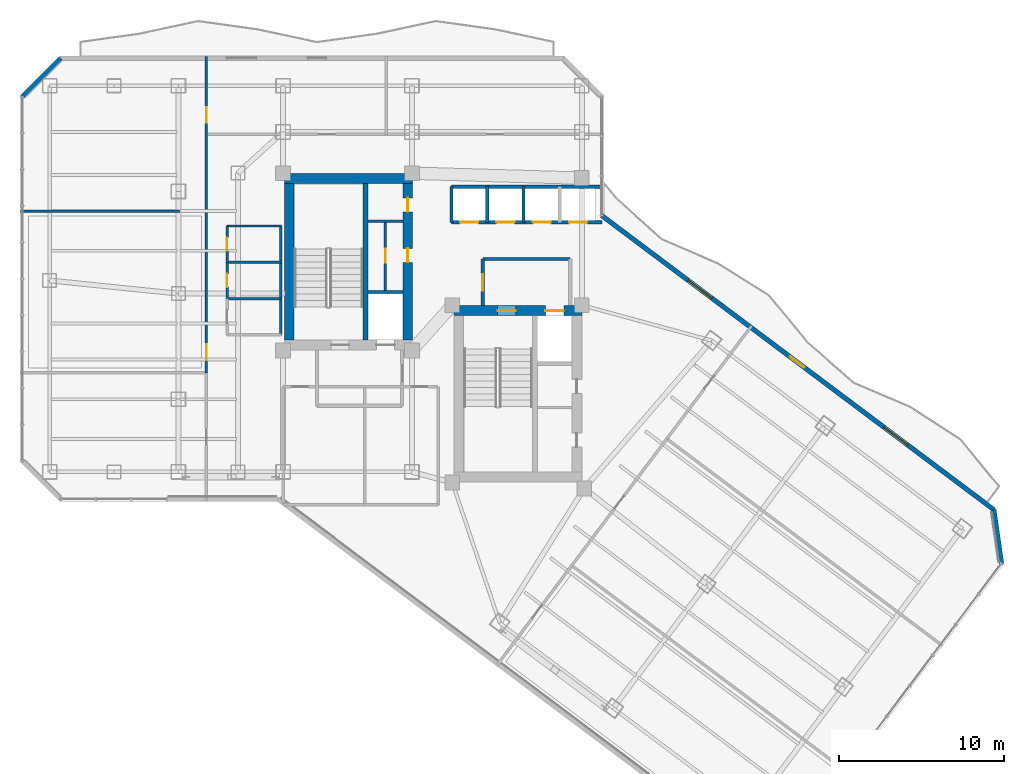
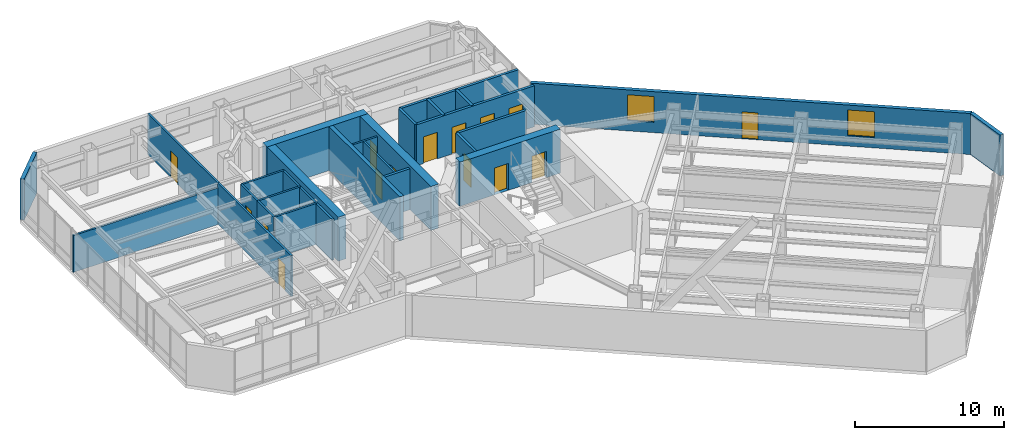
# One storey, part 23 of 29: 27 walls, 15 doors, 2 windows, 17 openings.
"""IFC4 building model written with IfcOpenShell, lengths in metres."""

from ifc_helpers import new_model, si_unit, direction, frame, frame_2d, origin, place, context, subcontext, project, spatial, rectangle, extrude, material, layer, layer_set, type_object, element, fill, save


model = new_model("IFC4")

# Units and contexts
model_context = context("Model", 3, precision=1e-05, world=origin(), true_north=direction((0.0, 1.0)))
body_context = subcontext(model_context, "Body", "Model", "MODEL_VIEW")
ifc_project = project(units=[si_unit("LENGTHUNIT", "METRE"), si_unit("AREAUNIT", "SQUARE_METRE"), si_unit("VOLUMEUNIT", "CUBIC_METRE"), si_unit("PLANEANGLEUNIT", "RADIAN"), si_unit("MASSUNIT", "GRAM", prefix="KILO")], contexts=[model_context])

# Site, building, storey
site_placement = place(None, origin())
site = spatial("IfcSite", under=ifc_project, at=site_placement, CompositionType="ELEMENT")
building_placement = place(site_placement, origin())
building = spatial("IfcBuilding", under=site, at=building_placement, Name="Hatsunagi Terrace Concourse", CompositionType="ELEMENT")
storey_placement = place(building_placement, frame((0.0, 0.0, 108.449951171875)))
storey = spatial("IfcBuildingStorey", under=building, at=storey_placement, Name="L28", CompositionType="ELEMENT", Elevation=108.449951171875)

# Walls
ifc_material_1 = material(Name="Concrete Fc48", Category="concrete")
ifc_layer_1 = layer(ifc_material_1, 0.60009765625)
ifc_layer_set_1 = layer_set([ifc_layer_1], Name="CoreShearWall_Fc48_600")
wall_type_1 = type_object("IfcWallType", Name="CoreShearWall_Fc48_600", PredefinedType="SHEAR", material=ifc_layer_set_1)
wall_1_placement = place(storey_placement, frame((25.6201171875, 42.969970703125, 0.0), z_axis=(0.0, 0.0, 1.0), x_axis=(1.0, 0.0, 0.0)))
element("IfcWall", 1, at=wall_1_placement, inside=storey, type_object=wall_type_1, Name="Core A Shear Wall N L28", PredefinedType="SHEAR", context=body_context, shape_type="SweptSolid", body=[
    extrude(rectangle(XDim=7.77978515625, YDim=0.60009765625, at=frame_2d((3.889892578125, 0.0))), origin(), (0.0, 0.0, 1.0), 3.60009765625),
])
wall_2_placement = place(storey_placement, frame((25.919921875, 33.18994140625, 0.0), z_axis=(0.0, 0.0, 1.0), x_axis=(0.0, 1.0, 0.0)))
element("IfcWall", 2, at=wall_2_placement, inside=storey, type_object=wall_type_1, Name="Core A Shear Wall W L28", PredefinedType="SHEAR", context=body_context, shape_type="SweptSolid", body=[
    extrude(rectangle(XDim=9.47998046875, YDim=0.60009765625, at=frame_2d((4.739990234375, 0.0))), origin(), (0.0, 0.0, 1.0), 3.60009765625),
])

# Wall, openings, doors
wall_3_placement = place(storey_placement, frame((33.10009765625, 33.18994140625, 0.0), z_axis=(0.0, 0.0, 1.0), x_axis=(0.0, 1.0, 0.0)))
wall_3 = element("IfcWall", 3, at=wall_3_placement, inside=storey, type_object=wall_type_1, Name="Core A Shear Wall E L28", PredefinedType="SHEAR", context=body_context, shape_type="SweptSolid", body=[
    extrude(rectangle(XDim=9.47998046875, YDim=0.60009765625, at=frame_2d((4.739990234375, 0.0))), origin(), (0.0, 0.0, 1.0), 3.60009765625),
])
opening_1_placement = place(wall_3_placement, frame((4.7099609375, 0.0, 0.0)))
opening_1 = element("IfcOpeningElement", 4, at=opening_1_placement, cuts=wall_3, Name="Opening DR-085", PredefinedType="OPENING", context=body_context, shape_type="SweptSolid", body=[
    extrude(rectangle(XDim=0.85009765625, YDim=2.080078125, at=frame_2d((0.425048828125, 1.0400390625))), frame((0.0, 0.31005859375, 0.0), z_axis=(0.0, -1.0, 0.0), x_axis=(1.0, 0.0, 0.0)), (0.0, 0.0, 1.0), 0.6201171875),
])
opening_2_placement = place(wall_3_placement, frame((7.760009765625, 0.0, 0.0)))
opening_2 = element("IfcOpeningElement", 5, at=opening_2_placement, cuts=wall_3, Name="Opening DR-085", PredefinedType="OPENING", context=body_context, shape_type="SweptSolid", body=[
    extrude(rectangle(XDim=0.85009765625, YDim=2.080078125, at=frame_2d((0.425048828125, 1.0400390625))), frame((0.0, 0.31005859375, 0.0), z_axis=(0.0, -1.0, 0.0), x_axis=(1.0, 0.0, 0.0)), (0.0, 0.0, 1.0), 0.6201171875),
])
ifc_material_2 = material(Name="Painted steel", Category="steel")
door_type_1 = type_object("IfcDoorType", Name="RiserAccessDoor_EI60_850", OperationType="NOTDEFINED", PredefinedType="DOOR", material=ifc_material_2)
door_1_placement = place(opening_1_placement, origin())
door_1 = element("IfcDoor", 6, at=door_1_placement, inside=storey, type_object=door_type_1, Name="Core A Riser Door L28-1", OperationType="SINGLE_SWING_LEFT", OverallHeight=2.080078125, OverallWidth=0.85009765625, PredefinedType="DOOR", context=body_context, shape_type="SweptSolid", body=[
    extrude(rectangle(XDim=0.85009765625, YDim=2.080078125, at=frame_2d((0.425048828125, 1.0400390625))), frame((0.0, 0.02490234375, 0.0), z_axis=(0.0, -1.0, 0.0), x_axis=(1.0, 0.0, 0.0)), (0.0, 0.0, 1.0), 0.050048828125),
])
fill(opening_1, door_1)
door_2_placement = place(opening_2_placement, origin())
door_2 = element("IfcDoor", 7, at=door_2_placement, inside=storey, type_object=door_type_1, Name="Core A Riser Door L28-2", OperationType="SINGLE_SWING_LEFT", OverallHeight=2.080078125, OverallWidth=0.85009765625, PredefinedType="DOOR", context=body_context, shape_type="SweptSolid", body=[
    extrude(rectangle(XDim=0.85009765625, YDim=2.080078125, at=frame_2d((0.425048828125, 1.0400390625))), frame((0.0, 0.02490234375, 0.0), z_axis=(0.0, -1.0, 0.0), x_axis=(1.0, 0.0, 0.0)), (0.0, 0.0, 1.0), 0.050048828125),
])
fill(opening_2, door_2)

wall_4_placement = place(storey_placement, frame((35.889892578125, 34.969970703125, 0.0), z_axis=(0.0, 0.0, 1.0), x_axis=(1.0, 0.0, 0.0)))
wall_4 = element("IfcWall", 8, at=wall_4_placement, inside=storey, type_object=wall_type_1, Name="Core B Shear Wall N L28", PredefinedType="SHEAR", context=body_context, shape_type="SweptSolid", body=[
    extrude(rectangle(XDim=7.760009765625, YDim=0.60009765625, at=frame_2d((3.8798828125, 0.0))), origin(), (0.0, 0.0, 1.0), 3.60009765625),
])
opening_3_placement = place(wall_4_placement, frame((2.659912109375, 0.0, 0.0)))
opening_3 = element("IfcOpeningElement", 9, at=opening_3_placement, cuts=wall_4, Name="Opening DR-110S", PredefinedType="OPENING", context=body_context, shape_type="SweptSolid", body=[
    extrude(rectangle(XDim=1.10009765625, YDim=2.199951171875, at=frame_2d((0.550048828125, 1.10009765625))), frame((0.0, 0.31005859375, 0.0), z_axis=(0.0, -1.0, 0.0), x_axis=(1.0, 0.0, 0.0)), (0.0, 0.0, 1.0), 0.6201171875),
])
opening_4_placement = place(wall_4_placement, frame((5.56005859375, 0.0, 0.0)))
opening_4 = element("IfcOpeningElement", 10, at=opening_4_placement, cuts=wall_4, Name="Opening LD-02", PredefinedType="OPENING", context=body_context, shape_type="SweptSolid", body=[
    extrude(rectangle(XDim=1.1201171875, YDim=2.14990234375, at=frame_2d((0.56005859375, 1.074951171875))), frame((0.0, 0.31005859375, 0.0), z_axis=(0.0, -1.0, 0.0), x_axis=(1.0, 0.0, 0.0)), (0.0, 0.0, 1.0), 0.6201171875),
])
ifc_material_3 = material(Name="Stainless steel", Category="steel")
door_type_2 = type_object("IfcDoorType", Name="LiftLandingDoor_LD02", OperationType="SLIDING_TO_RIGHT", PredefinedType="USERDEFINED", material=ifc_material_3)
door_3_placement = place(opening_4_placement, origin())
door_3 = element("IfcDoor", 11, at=door_3_placement, inside=storey, type_object=door_type_2, Name="Lift landing door FF-02 L28", ObjectType="SLIDING_LANDING_DOOR", OperationType="SLIDING_TO_RIGHT", OverallHeight=2.14990234375, OverallWidth=1.1201171875, PredefinedType="USERDEFINED", context=body_context, shape_type="SweptSolid", body=[
    extrude(rectangle(XDim=1.1201171875, YDim=2.14990234375, at=frame_2d((0.56005859375, 1.074951171875))), frame((0.0, 0.02490234375, 0.0), z_axis=(0.0, -1.0, 0.0), x_axis=(1.0, 0.0, 0.0)), (0.0, 0.0, 1.0), 0.050048828125),
])
fill(opening_4, door_3)
ifc_material_4 = material(Name="Painted steel", Category="steel")
door_type_3 = type_object("IfcDoorType", Name="StairFireDoor_EI60_1100", OperationType="NOTDEFINED", PredefinedType="DOOR", material=ifc_material_4)
door_4_placement = place(opening_3_placement, origin())
door_4 = element("IfcDoor", 12, at=door_4_placement, inside=storey, type_object=door_type_3, Name="Stair ST-B Exit Door L28", OperationType="SINGLE_SWING_RIGHT", OverallHeight=2.199951171875, OverallWidth=1.10009765625, PredefinedType="DOOR", context=body_context, shape_type="SweptSolid", body=[
    extrude(rectangle(XDim=1.10009765625, YDim=2.199951171875, at=frame_2d((0.550048828125, 1.10009765625))), frame((0.0, 0.02490234375, 0.0), z_axis=(0.0, -1.0, 0.0), x_axis=(1.0, 0.0, 0.0)), (0.0, 0.0, 1.0), 0.050048828125),
])
fill(opening_3, door_4)

# Wall
ifc_material_5 = material(Name="Concrete Fc48", Category="concrete")
ifc_layer_2 = layer(ifc_material_5, 0.300048828125)
ifc_layer_set_2 = layer_set([ifc_layer_2], Name="CoreStairDivider_Fc48_300")
wall_type_2 = type_object("IfcWallType", Name="CoreStairDivider_Fc48_300", PredefinedType="SHEAR", material=ifc_layer_set_2)
wall_5_placement = place(storey_placement, frame((30.5400390625, 33.18994140625, 0.0), z_axis=(0.0, 0.0, 1.0), x_axis=(0.0, 1.0, 0.0)))
element("IfcWall", 13, at=wall_5_placement, inside=storey, type_object=wall_type_2, Name="Core A Shear Wall D L28", PredefinedType="SHEAR", context=body_context, shape_type="SweptSolid", body=[
    extrude(rectangle(XDim=9.47998046875, YDim=0.300048828125, at=frame_2d((4.739990234375, 0.0))), origin(), (0.0, 0.0, 1.0), 3.60009765625),
])

# Wall, opening, door
ifc_material_6 = material(Name="Acoustic mineral board", Category="gypsum")
ifc_layer_3 = layer(ifc_material_6, 0.14990234375)
ifc_layer_set_3 = layer_set([ifc_layer_3], Name="PartitionWall_EI60_150")
wall_type_3 = type_object("IfcWallType", Name="PartitionWall_EI60_150", PredefinedType="PARTITIONING", material=ifc_layer_set_3)
wall_6_placement = place(storey_placement, frame((31.75, 36.179931640625, 0.0), z_axis=(0.0, 0.0, 1.0), x_axis=(0.0, 1.0, 0.0)))
wall_6 = element("IfcWall", 14, at=wall_6_placement, inside=storey, type_object=wall_type_3, Name="Interior Partition IW-L28-002", PredefinedType="PARTITIONING", context=body_context, shape_type="SweptSolid", body=[
    extrude(rectangle(XDim=4.239990234375, YDim=0.14990234375, at=frame_2d((2.1201171875, 0.0))), origin(), (0.0, 0.0, 1.0), 3.35009765625),
])
opening_5_placement = place(wall_6_placement, frame((1.695068359375, 0.0, 0.0)))
opening_5 = element("IfcOpeningElement", 15, at=opening_5_placement, cuts=wall_6, Name="Opening DR-085", PredefinedType="OPENING", context=body_context, shape_type="SweptSolid", body=[
    extrude(rectangle(XDim=0.85009765625, YDim=2.080078125, at=frame_2d((0.425048828125, 1.0400390625))), frame((0.0, 0.0849609375, 0.0), z_axis=(0.0, -1.0, 0.0), x_axis=(1.0, 0.0, 0.0)), (0.0, 0.0, 1.0), 0.169921875),
])
door_5_placement = place(opening_5_placement, origin())
door_5 = element("IfcDoor", 16, at=door_5_placement, inside=storey, type_object=door_type_1, Name="Core A Sub-Riser Door L28", OperationType="SINGLE_SWING_LEFT", OverallHeight=2.080078125, OverallWidth=0.85009765625, PredefinedType="DOOR", context=body_context, shape_type="SweptSolid", body=[
    extrude(rectangle(XDim=0.85009765625, YDim=2.080078125, at=frame_2d((0.425048828125, 1.0400390625))), frame((0.0, 0.02490234375, 0.0), z_axis=(0.0, -1.0, 0.0), x_axis=(1.0, 0.0, 0.0)), (0.0, 0.0, 1.0), 0.050048828125),
])
fill(opening_5, door_5)

# Walls
wall_7_placement = place(storey_placement, frame((30.699951171875, 40.39990234375, 0.0), z_axis=(0.0, 0.0, 1.0), x_axis=(1.0, 0.0, 0.0)))
element("IfcWall", 17, at=wall_7_placement, inside=storey, type_object=wall_type_3, Name="Interior Partition IW-L28-003", PredefinedType="PARTITIONING", context=body_context, shape_type="SweptSolid", body=[
    extrude(rectangle(XDim=2.10009765625, YDim=0.14990234375, at=frame_2d((1.050048828125, 0.0))), origin(), (0.0, 0.0, 1.0), 3.35009765625),
])
wall_8_placement = place(storey_placement, frame((22.14990234375, 40.10009765625, 0.0), z_axis=(0.0, 0.0, 1.0), x_axis=(1.0, 0.0, 0.0)))
element("IfcWall", 18, at=wall_8_placement, inside=storey, type_object=wall_type_3, Name="Interior Partition IW-L28-019", PredefinedType="PARTITIONING", context=body_context, shape_type="SweptSolid", body=[
    extrude(rectangle(XDim=3.300048828125, YDim=0.14990234375, at=frame_2d((1.64990234375, 0.0))), origin(), (0.0, 0.0, 1.0), 3.35009765625),
])
wall_9_placement = place(storey_placement, frame((25.39990234375, 33.5, 0.0), z_axis=(0.0, 0.0, 1.0), x_axis=(0.0, 1.0, 0.0)))
element("IfcWall", 19, at=wall_9_placement, inside=storey, type_object=wall_type_3, Name="Interior Partition IW-L28-020", PredefinedType="PARTITIONING", context=body_context, shape_type="SweptSolid", body=[
    extrude(rectangle(XDim=6.60009765625, YDim=0.14990234375, at=frame_2d((3.300048828125, 0.0))), origin(), (0.0, 0.0, 1.0), 3.35009765625),
])
for number, where, z_axis, x_axis, name in (
    (20, (22.14990234375, 35.699951171875, 0.0), (0.0, 0.0, 1.0), (1.0, 0.0, 0.0), "Interior Partition IW-L28-021"),
    (21, (22.14990234375, 37.89990234375, 0.0), (0.0, 0.0, 1.0), (1.0, 0.0, 0.0), "Interior Partition IW-L28-022"),
):
    element("IfcWall", number, at=place(storey_placement, frame(where, z_axis=z_axis, x_axis=x_axis)), inside=storey, type_object=wall_type_3, Name=name, PredefinedType="PARTITIONING", context=body_context, shape_type="SweptSolid", body=[
        extrude(rectangle(XDim=3.300048828125, YDim=0.14990234375, at=frame_2d((1.64990234375, 0.0))), origin(), (0.0, 0.0, 1.0), 3.35009765625),
    ])

# Wall, opening, door
wall_10_placement = place(storey_placement, frame((22.14990234375, 35.699951171875, 0.0), z_axis=(0.0, 0.0, 1.0), x_axis=(0.0, 1.0, 0.0)))
wall_10 = element("IfcWall", 22, at=wall_10_placement, inside=storey, type_object=wall_type_3, Name="Interior Partition IW-L28-024", PredefinedType="PARTITIONING", context=body_context, shape_type="SweptSolid", body=[
    extrude(rectangle(XDim=2.199951171875, YDim=0.14990234375, at=frame_2d((1.10009765625, 0.0))), origin(), (0.0, 0.0, 1.0), 3.35009765625),
])
opening_6_placement = place(wall_10_placement, frame((0.699951171875, 0.0, 0.0)))
opening_6 = element("IfcOpeningElement", 23, at=opening_6_placement, cuts=wall_10, Name="Opening DR-080", PredefinedType="OPENING", context=body_context, shape_type="SweptSolid", body=[
    extrude(rectangle(XDim=0.800048828125, YDim=2.06005859375, at=frame_2d((0.39990234375, 1.030029296875))), frame((0.0, 0.0849609375, 0.0), z_axis=(0.0, -1.0, 0.0), x_axis=(1.0, 0.0, 0.0)), (0.0, 0.0, 1.0), 0.169921875),
])
ifc_material_7 = material(Name="Hardwood timber", Category="wood")
door_type_4 = type_object("IfcDoorType", Name="BathroomDoor_800", OperationType="NOTDEFINED", PredefinedType="DOOR", material=ifc_material_7)
door_6_placement = place(opening_6_placement, origin())
door_6 = element("IfcDoor", 24, at=door_6_placement, inside=storey, type_object=door_type_4, Name="Female Restroom Door L28", OperationType="SINGLE_SWING_RIGHT", OverallHeight=2.06005859375, OverallWidth=0.800048828125, PredefinedType="DOOR", context=body_context, shape_type="SweptSolid", body=[
    extrude(rectangle(XDim=0.800048828125, YDim=2.06005859375, at=frame_2d((0.39990234375, 1.030029296875))), frame((0.0, 0.02490234375, 0.0), z_axis=(0.0, -1.0, 0.0), x_axis=(1.0, 0.0, 0.0)), (0.0, 0.0, 1.0), 0.050048828125),
])
fill(opening_6, door_6)

wall_11_placement = place(storey_placement, frame((22.14990234375, 37.89990234375, 0.0), z_axis=(0.0, 0.0, 1.0), x_axis=(0.0, 1.0, 0.0)))
wall_11 = element("IfcWall", 25, at=wall_11_placement, inside=storey, type_object=wall_type_3, Name="Interior Partition IW-L28-025", PredefinedType="PARTITIONING", context=body_context, shape_type="SweptSolid", body=[
    extrude(rectangle(XDim=2.2001953125, YDim=0.14990234375, at=frame_2d((1.10009765625, 0.0))), origin(), (0.0, 0.0, 1.0), 3.35009765625),
])
opening_7_placement = place(wall_11_placement, frame((0.699951171875, 0.0, 0.0)))
opening_7 = element("IfcOpeningElement", 26, at=opening_7_placement, cuts=wall_11, Name="Opening DR-080", PredefinedType="OPENING", context=body_context, shape_type="SweptSolid", body=[
    extrude(rectangle(XDim=0.800048828125, YDim=2.06005859375, at=frame_2d((0.39990234375, 1.030029296875))), frame((0.0, 0.0849609375, 0.0), z_axis=(0.0, -1.0, 0.0), x_axis=(1.0, 0.0, 0.0)), (0.0, 0.0, 1.0), 0.169921875),
])
door_7_placement = place(opening_7_placement, origin())
door_7 = element("IfcDoor", 27, at=door_7_placement, inside=storey, type_object=door_type_4, Name="Male Restroom Door L28", OperationType="SINGLE_SWING_RIGHT", OverallHeight=2.06005859375, OverallWidth=0.800048828125, PredefinedType="DOOR", context=body_context, shape_type="SweptSolid", body=[
    extrude(rectangle(XDim=0.800048828125, YDim=2.06005859375, at=frame_2d((0.39990234375, 1.030029296875))), frame((0.0, 0.02490234375, 0.0), z_axis=(0.0, -1.0, 0.0), x_axis=(1.0, 0.0, 0.0)), (0.0, 0.0, 1.0), 0.050048828125),
])
fill(opening_7, door_7)

# Wall
wall_12_placement = place(storey_placement, frame((9.639892578125, 41.0, 0.0), z_axis=(0.0, 0.0, 1.0), x_axis=(1.0, 0.0, 0.0)))
element("IfcWall", 28, at=wall_12_placement, inside=storey, type_object=wall_type_3, Name="Interior Partition IW-L28-035", PredefinedType="PARTITIONING", context=body_context, shape_type="SweptSolid", body=[
    extrude(rectangle(XDim=11.260009765625, YDim=0.14990234375, at=frame_2d((5.6298828125, 0.0))), origin(), (0.0, 0.0, 1.0), 2.9951171875),
])

# Wall, opening, door
wall_13_placement = place(storey_placement, frame((20.89990234375, 31.199951171875, 0.0), z_axis=(0.0, 0.0, 1.0), x_axis=(0.0, 1.0, 0.0)))
wall_13 = element("IfcWall", 29, at=wall_13_placement, inside=storey, type_object=wall_type_3, Name="Interior Partition IW-L28-036", PredefinedType="PARTITIONING", context=body_context, shape_type="SweptSolid", body=[
    extrude(rectangle(XDim=9.800048828125, YDim=0.14990234375, at=frame_2d((4.89990234375, 0.0))), origin(), (0.0, 0.0, 1.0), 3.35009765625),
])
opening_8_placement = place(wall_13_placement, frame((0.783935546875, 0.0, 0.0)))
opening_8 = element("IfcOpeningElement", 30, at=opening_8_placement, cuts=wall_13, Name="Opening DR-095", PredefinedType="OPENING", context=body_context, shape_type="SweptSolid", body=[
    extrude(rectangle(XDim=0.949951171875, YDim=2.14990234375, at=frame_2d((0.47509765625, 1.074951171875))), frame((0.0, 0.0849609375, 0.0), z_axis=(0.0, -1.0, 0.0), x_axis=(1.0, 0.0, 0.0)), (0.0, 0.0, 1.0), 0.169921875),
])
ifc_material_8 = material(Name="Hardwood timber", Category="wood")
door_type_5 = type_object("IfcDoorType", Name="InteriorSuiteDoor_EI30_950", OperationType="NOTDEFINED", PredefinedType="DOOR", material=ifc_material_8)
door_8_placement = place(opening_8_placement, origin())
door_8 = element("IfcDoor", 31, at=door_8_placement, inside=storey, type_object=door_type_5, Name="Boardroom L28-OW2 Door", OperationType="SINGLE_SWING_RIGHT", OverallHeight=2.14990234375, OverallWidth=0.949951171875, PredefinedType="DOOR", context=body_context, shape_type="SweptSolid", body=[
    extrude(rectangle(XDim=0.949951171875, YDim=2.14990234375, at=frame_2d((0.47509765625, 1.074951171875))), frame((0.0, 0.02490234375, 0.0), z_axis=(0.0, -1.0, 0.0), x_axis=(1.0, 0.0, 0.0)), (0.0, 0.0, 1.0), 0.050048828125),
])
fill(opening_8, door_8)

wall_14_placement = place(storey_placement, frame((20.89990234375, 41.0, 0.0), z_axis=(0.0, 0.0, 1.0), x_axis=(0.0, 1.0, 0.0)))
wall_14 = element("IfcWall", 32, at=wall_14_placement, inside=storey, type_object=wall_type_3, Name="Interior Partition IW-L28-037", PredefinedType="PARTITIONING", context=body_context, shape_type="SweptSolid", body=[
    extrude(rectangle(XDim=9.360107421875, YDim=0.14990234375, at=frame_2d((4.68017578125, 0.0))), origin(), (0.0, 0.0, 1.0), 3.35009765625),
])
opening_9_placement = place(wall_14_placement, frame((5.35302734375, 0.0, 0.0)))
opening_9 = element("IfcOpeningElement", 33, at=opening_9_placement, cuts=wall_14, Name="Opening DR-095", PredefinedType="OPENING", context=body_context, shape_type="SweptSolid", body=[
    extrude(rectangle(XDim=0.949951171875, YDim=2.14990234375, at=frame_2d((0.47509765625, 1.074951171875))), frame((0.0, 0.0849609375, 0.0), z_axis=(0.0, -1.0, 0.0), x_axis=(1.0, 0.0, 0.0)), (0.0, 0.0, 1.0), 0.169921875),
])
door_9_placement = place(opening_9_placement, origin())
door_9 = element("IfcDoor", 34, at=door_9_placement, inside=storey, type_object=door_type_5, Name="Design Studio L28-OW3 Door", OperationType="SINGLE_SWING_RIGHT", OverallHeight=2.14990234375, OverallWidth=0.949951171875, PredefinedType="DOOR", context=body_context, shape_type="SweptSolid", body=[
    extrude(rectangle(XDim=0.949951171875, YDim=2.14990234375, at=frame_2d((0.47509765625, 1.074951171875))), frame((0.0, 0.02490234375, 0.0), z_axis=(0.0, -1.0, 0.0), x_axis=(1.0, 0.0, 0.0)), (0.0, 0.0, 1.0), 0.050048828125),
])
fill(opening_9, door_9)

# Walls
ifc_material_9 = material(Name="Acoustic mineral board", Category="gypsum")
ifc_layer_4 = layer(ifc_material_9, 0.199951171875)
ifc_layer_set_4 = layer_set([ifc_layer_4], Name="ShaftWall_EI120_200")
wall_type_4 = type_object("IfcWallType", Name="ShaftWall_EI120_200", PredefinedType="STANDARD", material=ifc_layer_set_4)
wall_15_placement = place(storey_placement, frame((30.699951171875, 36.10009765625, 0.0), z_axis=(0.0, 0.0, 1.0), x_axis=(1.0, 0.0, 0.0)))
element("IfcWall", 35, at=wall_15_placement, inside=storey, type_object=wall_type_4, Name="Interior Partition IW-L28-001", PredefinedType="STANDARD", context=body_context, shape_type="SweptSolid", body=[
    extrude(rectangle(XDim=2.10009765625, YDim=0.199951171875, at=frame_2d((1.050048828125, 0.0))), origin(), (0.0, 0.0, 1.0), 3.35009765625),
])
wall_16_placement = place(storey_placement, frame((37.64990234375, 38.10009765625, 0.0), z_axis=(0.0, 0.0, 1.0), x_axis=(1.0, 0.0, 0.0)))
element("IfcWall", 36, at=wall_16_placement, inside=storey, type_object=wall_type_4, Name="Interior Partition IW-L28-009", PredefinedType="STANDARD", context=body_context, shape_type="SweptSolid", body=[
    extrude(rectangle(XDim=5.300048828125, YDim=0.199951171875, at=frame_2d((2.64990234375, 0.0))), origin(), (0.0, 0.0, 1.0), 3.35009765625),
])

# Wall, opening, door
wall_17_placement = place(storey_placement, frame((37.64990234375, 35.27001953125, 0.0), z_axis=(0.0, 0.0, 1.0), x_axis=(0.0, 1.0, 0.0)))
wall_17 = element("IfcWall", 37, at=wall_17_placement, inside=storey, type_object=wall_type_4, Name="Interior Partition IW-L28-011", PredefinedType="STANDARD", context=body_context, shape_type="SweptSolid", body=[
    extrude(rectangle(XDim=2.830078125, YDim=0.199951171875, at=frame_2d((1.4150390625, 0.0))), origin(), (0.0, 0.0, 1.0), 3.35009765625),
])
opening_10_placement = place(wall_17_placement, frame((0.9150390625, 0.0, 0.0)))
opening_10 = element("IfcOpeningElement", 38, at=opening_10_placement, cuts=wall_17, Name="Opening DR-100F", PredefinedType="OPENING", context=body_context, shape_type="SweptSolid", body=[
    extrude(rectangle(XDim=1.0, YDim=2.199951171875, at=frame_2d((0.5, 1.10009765625))), frame((0.0, 0.10986328125, 0.0), z_axis=(0.0, -1.0, 0.0), x_axis=(1.0, 0.0, 0.0)), (0.0, 0.0, 1.0), 0.219970703125),
])
ifc_material_10 = material(Name="Painted steel", Category="steel")
door_type_6 = type_object("IfcDoorType", Name="FireDoor_EI60_1000", OperationType="NOTDEFINED", PredefinedType="DOOR", material=ifc_material_10)
door_10_placement = place(opening_10_placement, origin())
door_10 = element("IfcDoor", 39, at=door_10_placement, inside=storey, type_object=door_type_6, Name="Firefighting Lobby B Door L28", OperationType="SINGLE_SWING_RIGHT", OverallHeight=2.199951171875, OverallWidth=1.0, PredefinedType="DOOR", context=body_context, shape_type="SweptSolid", body=[
    extrude(rectangle(XDim=1.0, YDim=2.199951171875, at=frame_2d((0.5, 1.10009765625))), frame((0.0, 0.02490234375, 0.0), z_axis=(0.0, -1.0, 0.0), x_axis=(1.0, 0.0, 0.0)), (0.0, 0.0, 1.0), 0.050048828125),
])
fill(opening_10, door_10)

# Walls
wall_18_placement = place(storey_placement, frame((35.75, 42.47998046875, 0.0), z_axis=(0.0, 0.0, 1.0), x_axis=(1.0, 0.0, 0.0)))
element("IfcWall", 40, at=wall_18_placement, inside=storey, type_object=wall_type_4, Name="Interior Partition IW-L28-012", PredefinedType="STANDARD", context=body_context, shape_type="SweptSolid", body=[
    extrude(rectangle(XDim=9.110107421875, YDim=0.199951171875, at=frame_2d((4.55517578125, 0.0))), origin(), (0.0, 0.0, 1.0), 3.35009765625),
])
for number, where, z_axis, x_axis, name in (
    (41, (35.75, 40.320068359375, 0.0), (0.0, 0.0, 1.0), (0.0, 1.0, 0.0), "Interior Partition IW-L28-013"),
    (42, (37.919921875, 40.320068359375, 0.0), (0.0, 0.0, 1.0), (0.0, 1.0, 0.0), "Interior Partition IW-L28-014"),
    (43, (40.1201171875, 40.320068359375, 0.0), (0.0, 0.0, 1.0), (0.0, 1.0, 0.0), "Interior Partition IW-L28-015"),
):
    element("IfcWall", number, at=place(storey_placement, frame(where, z_axis=z_axis, x_axis=x_axis)), inside=storey, type_object=wall_type_4, Name=name, PredefinedType="STANDARD", context=body_context, shape_type="SweptSolid", body=[
        extrude(rectangle(XDim=2.159912109375, YDim=0.199951171875, at=frame_2d((1.080078125, 0.0))), origin(), (0.0, 0.0, 1.0), 3.35009765625),
    ])

# Wall, openings, doors
wall_19_placement = place(storey_placement, frame((35.75, 40.320068359375, 0.0), z_axis=(0.0, 0.0, 1.0), x_axis=(1.0, 0.0, 0.0)))
wall_19 = element("IfcWall", 44, at=wall_19_placement, inside=storey, type_object=wall_type_4, Name="Interior Partition IW-L28-017", PredefinedType="STANDARD", context=body_context, shape_type="SweptSolid", body=[
    extrude(rectangle(XDim=9.110107421875, YDim=0.199951171875, at=frame_2d((4.55517578125, 0.0))), origin(), (0.0, 0.0, 1.0), 3.35009765625),
])
opening_11_placement = place(wall_19_placement, frame((0.530029296875, 0.0, 0.0)))
opening_11 = element("IfcOpeningElement", 45, at=opening_11_placement, cuts=wall_19, Name="Opening LD-04", PredefinedType="OPENING", context=body_context, shape_type="SweptSolid", body=[
    extrude(rectangle(XDim=1.10009765625, YDim=2.179931640625, at=frame_2d((0.550048828125, 1.08984375))), frame((0.0, 0.10986328125, 0.0), z_axis=(0.0, -1.0, 0.0), x_axis=(1.0, 0.0, 0.0)), (0.0, 0.0, 1.0), 0.219970703125),
])
opening_12_placement = place(wall_19_placement, frame((2.72998046875, 0.0, 0.0)))
opening_12 = element("IfcOpeningElement", 46, at=opening_12_placement, cuts=wall_19, Name="Opening LD-04", PredefinedType="OPENING", context=body_context, shape_type="SweptSolid", body=[
    extrude(rectangle(XDim=1.10009765625, YDim=2.179931640625, at=frame_2d((0.550048828125, 1.08984375))), frame((0.0, 0.10986328125, 0.0), z_axis=(0.0, -1.0, 0.0), x_axis=(1.0, 0.0, 0.0)), (0.0, 0.0, 1.0), 0.219970703125),
])
opening_13_placement = place(wall_19_placement, frame((4.929931640625, 0.0, 0.0)))
opening_13 = element("IfcOpeningElement", 47, at=opening_13_placement, cuts=wall_19, Name="Opening LD-04", PredefinedType="OPENING", context=body_context, shape_type="SweptSolid", body=[
    extrude(rectangle(XDim=1.10009765625, YDim=2.179931640625, at=frame_2d((0.550048828125, 1.08984375))), frame((0.0, 0.10986328125, 0.0), z_axis=(0.0, -1.0, 0.0), x_axis=(1.0, 0.0, 0.0)), (0.0, 0.0, 1.0), 0.219970703125),
])
opening_14_placement = place(wall_19_placement, frame((7.1298828125, 0.0, 0.0)))
opening_14 = element("IfcOpeningElement", 48, at=opening_14_placement, cuts=wall_19, Name="Opening LD-04", PredefinedType="OPENING", context=body_context, shape_type="SweptSolid", body=[
    extrude(rectangle(XDim=1.10009765625, YDim=2.179931640625, at=frame_2d((0.550048828125, 1.08984375))), frame((0.0, 0.10986328125, 0.0), z_axis=(0.0, -1.0, 0.0), x_axis=(1.0, 0.0, 0.0)), (0.0, 0.0, 1.0), 0.219970703125),
])
ifc_material_11 = material(Name="Stainless steel", Category="steel")
door_type_7 = type_object("IfcDoorType", Name="LiftLandingDoor_LD04", OperationType="SLIDING_TO_RIGHT", PredefinedType="USERDEFINED", material=ifc_material_11)
door_11_placement = place(opening_11_placement, origin())
door_11 = element("IfcDoor", 49, at=door_11_placement, inside=storey, type_object=door_type_7, Name="Lift landing door PL-05 L28", ObjectType="SLIDING_LANDING_DOOR", OperationType="SLIDING_TO_RIGHT", OverallHeight=2.179931640625, OverallWidth=1.10009765625, PredefinedType="USERDEFINED", context=body_context, shape_type="SweptSolid", body=[
    extrude(rectangle(XDim=1.10009765625, YDim=2.179931640625, at=frame_2d((0.550048828125, 1.08984375))), frame((0.0, 0.02490234375, 0.0), z_axis=(0.0, -1.0, 0.0), x_axis=(1.0, 0.0, 0.0)), (0.0, 0.0, 1.0), 0.050048828125),
])
fill(opening_11, door_11)
door_12_placement = place(opening_12_placement, origin())
door_12 = element("IfcDoor", 50, at=door_12_placement, inside=storey, type_object=door_type_7, Name="Lift landing door PL-06 L28", ObjectType="SLIDING_LANDING_DOOR", OperationType="SLIDING_TO_RIGHT", OverallHeight=2.179931640625, OverallWidth=1.10009765625, PredefinedType="USERDEFINED", context=body_context, shape_type="SweptSolid", body=[
    extrude(rectangle(XDim=1.10009765625, YDim=2.179931640625, at=frame_2d((0.550048828125, 1.08984375))), frame((0.0, 0.02490234375, 0.0), z_axis=(0.0, -1.0, 0.0), x_axis=(1.0, 0.0, 0.0)), (0.0, 0.0, 1.0), 0.050048828125),
])
fill(opening_12, door_12)
door_13_placement = place(opening_13_placement, origin())
door_13 = element("IfcDoor", 51, at=door_13_placement, inside=storey, type_object=door_type_7, Name="Lift landing door PL-07 L28", ObjectType="SLIDING_LANDING_DOOR", OperationType="SLIDING_TO_RIGHT", OverallHeight=2.179931640625, OverallWidth=1.10009765625, PredefinedType="USERDEFINED", context=body_context, shape_type="SweptSolid", body=[
    extrude(rectangle(XDim=1.10009765625, YDim=2.179931640625, at=frame_2d((0.550048828125, 1.08984375))), frame((0.0, 0.02490234375, 0.0), z_axis=(0.0, -1.0, 0.0), x_axis=(1.0, 0.0, 0.0)), (0.0, 0.0, 1.0), 0.050048828125),
])
fill(opening_13, door_13)
door_14_placement = place(opening_14_placement, origin())
door_14 = element("IfcDoor", 52, at=door_14_placement, inside=storey, type_object=door_type_7, Name="Lift landing door PL-08 L28", ObjectType="SLIDING_LANDING_DOOR", OperationType="SLIDING_TO_RIGHT", OverallHeight=2.179931640625, OverallWidth=1.10009765625, PredefinedType="USERDEFINED", context=body_context, shape_type="SweptSolid", body=[
    extrude(rectangle(XDim=1.10009765625, YDim=2.179931640625, at=frame_2d((0.550048828125, 1.08984375))), frame((0.0, 0.02490234375, 0.0), z_axis=(0.0, -1.0, 0.0), x_axis=(1.0, 0.0, 0.0)), (0.0, 0.0, 1.0), 0.050048828125),
])
fill(opening_14, door_14)

# Wall, openings, door, windows
ifc_material_12 = material(Name="Autoclaved Lightweight Concrete and Terracotta Cladding", Category="masonry")
ifc_layer_5 = layer(ifc_material_12, 0.280029296875)
ifc_layer_set_5 = layer_set([ifc_layer_5], Name="TerracottaSpandrelWall_280")
wall_type_5 = type_object("IfcWallType", Name="TerracottaSpandrelWall_280", PredefinedType="STANDARD", material=ifc_layer_set_5)
wall_20_placement = place(storey_placement, frame((44.860107421875, 40.72998046875, 0.0), z_axis=(0.0, 0.0, 1.0), x_axis=(0.800006902154, -0.599990797017, 0.0)))
wall_20 = element("IfcWall", 53, at=wall_20_placement, inside=storey, type_object=wall_type_5, Name="Exterior Spandrel Wall EW-L28-01", PredefinedType="STANDARD", context=body_context, shape_type="SweptSolid", body=[
    extrude(rectangle(XDim=29.7119140625, YDim=0.280029296875, at=frame_2d((14.85595703125, 0.0))), origin(), (0.0, 0.0, 1.0), 3.35009765625),
])
opening_15_placement = place(wall_20_placement, frame((14.2490234375, 0.0, 0.0)))
opening_15 = element("IfcOpeningElement", 54, at=opening_15_placement, cuts=wall_20, Name="Opening BD-01", PredefinedType="OPENING", context=body_context, shape_type="SweptSolid", body=[
    extrude(rectangle(XDim=1.10009765625, YDim=2.199951171875, at=frame_2d((0.550048828125, 1.10009765625))), frame((0.0, 0.14990234375, 0.0), z_axis=(0.0, -1.0, 0.0), x_axis=(1.0, 0.0, 0.0)), (0.0, 0.0, 1.0), 0.300048828125),
])
opening_16_placement = place(wall_20_placement, frame((6.528076171875, 0.0, 0.85009765625)))
opening_16 = element("IfcOpeningElement", 55, at=opening_16_placement, cuts=wall_20, Name="Opening WIN-03", PredefinedType="OPENING", context=body_context, shape_type="SweptSolid", body=[
    extrude(rectangle(XDim=1.800048828125, YDim=2.10009765625, at=frame_2d((0.89990234375, 1.050048828125))), frame((0.0, 0.14990234375, 0.0), z_axis=(0.0, -1.0, 0.0), x_axis=(1.0, 0.0, 0.0)), (0.0, 0.0, 1.0), 0.300048828125),
])
opening_17_placement = place(wall_20_placement, frame((21.384033203125, 0.0, 0.85009765625)))
opening_17 = element("IfcOpeningElement", 56, at=opening_17_placement, cuts=wall_20, Name="Opening WIN-03", PredefinedType="OPENING", context=body_context, shape_type="SweptSolid", body=[
    extrude(rectangle(XDim=1.800048828125, YDim=2.10009765625, at=frame_2d((0.89990234375, 1.050048828125))), frame((0.0, 0.14990234375, 0.0), z_axis=(0.0, -1.0, 0.0), x_axis=(1.0, 0.0, 0.0)), (0.0, 0.0, 1.0), 0.300048828125),
])
ifc_material_13 = material(Name="Galvanised Steel and Laminated Safety Glass", Category="steel")
door_type_8 = type_object("IfcDoorType", Name="BalconyTerraceAccessDoor_1100x2200", OperationType="SINGLE_SWING_LEFT", PredefinedType="DOOR", material=ifc_material_13)
door_15_placement = place(opening_15_placement, origin())
door_15 = element("IfcDoor", 57, at=door_15_placement, inside=storey, type_object=door_type_8, Name="Engawa Balcony Door L28-BSE", OperationType="SINGLE_SWING_LEFT", OverallHeight=2.199951171875, OverallWidth=1.10009765625, PredefinedType="DOOR", context=body_context, shape_type="SweptSolid", body=[
    extrude(rectangle(XDim=1.10009765625, YDim=2.199951171875, at=frame_2d((0.550048828125, 1.10009765625))), frame((0.0, 0.02490234375, 0.0), z_axis=(0.0, -1.0, 0.0), x_axis=(1.0, 0.0, 0.0)), (0.0, 0.0, 1.0), 0.050048828125),
])
fill(opening_15, door_15)
ifc_material_14 = material(Name="Thermally Broken Aluminium and Low-E Triple Glazing", Category="aluminium")
window_type = type_object("IfcWindowType", Name="OfficeCornerFeatureWindow_1800x2100", PartitioningType="SINGLE_PANEL", PredefinedType="WINDOW", material=ifc_material_14)
window_1_placement = place(opening_16_placement, origin())
window_1 = element("IfcWindow", 58, at=window_1_placement, inside=storey, type_object=window_type, Name="Balcony Daylighting Window L28-01-1", OverallHeight=2.10009765625, OverallWidth=1.800048828125, PartitioningType="SINGLE_PANEL", PredefinedType="WINDOW", context=body_context, shape_type="SweptSolid", body=[
    extrude(rectangle(XDim=1.800048828125, YDim=2.10009765625, at=frame_2d((0.89990234375, 1.050048828125))), frame((0.0, 0.030029296875, 0.0), z_axis=(0.0, -1.0, 0.0), x_axis=(1.0, 0.0, 0.0)), (0.0, 0.0, 1.0), 0.06005859375),
])
fill(opening_16, window_1)
window_2_placement = place(opening_17_placement, origin())
window_2 = element("IfcWindow", 59, at=window_2_placement, inside=storey, type_object=window_type, Name="Balcony Daylighting Window L28-01-2", OverallHeight=2.10009765625, OverallWidth=1.800048828125, PartitioningType="SINGLE_PANEL", PredefinedType="WINDOW", context=body_context, shape_type="SweptSolid", body=[
    extrude(rectangle(XDim=1.800048828125, YDim=2.10009765625, at=frame_2d((0.89990234375, 1.050048828125))), frame((0.0, 0.030029296875, 0.0), z_axis=(0.0, -1.0, 0.0), x_axis=(1.0, 0.0, 0.0)), (0.0, 0.0, 1.0), 0.06005859375),
])
fill(opening_17, window_2)

# Walls
wall_21_placement = place(storey_placement, frame((68.6298828125, 22.903076171875, 0.0), z_axis=(0.0, 0.0, 1.0), x_axis=(0.141285803956, -0.989968848803, 0.0)))
element("IfcWall", 60, at=wall_21_placement, inside=storey, type_object=wall_type_5, Name="Exterior Spandrel Wall EW-L28-02", PredefinedType="STANDARD", context=body_context, shape_type="SweptSolid", body=[
    extrude(rectangle(XDim=3.278076171875, YDim=0.280029296875, at=frame_2d((1.63916015625, 0.0))), origin(), (0.0, 0.0, 1.0), 3.35009765625),
])
wall_22_placement = place(storey_placement, frame((9.739990234375, 47.94189453125, 0.0), z_axis=(0.0, 0.0, 1.0), x_axis=(0.707106781187, 0.707106781187, 0.0)))
element("IfcWall", 61, at=wall_22_placement, inside=storey, type_object=wall_type_5, Name="Exterior Spandrel Wall EW-L28-10", PredefinedType="STANDARD", context=body_context, shape_type="SweptSolid", body=[
    extrude(rectangle(XDim=3.2783203125, YDim=0.280029296875, at=frame_2d((1.63916015625, 0.0))), origin(), (0.0, 0.0, 1.0), 3.35009765625),
])

save(model, "model.ifc")
